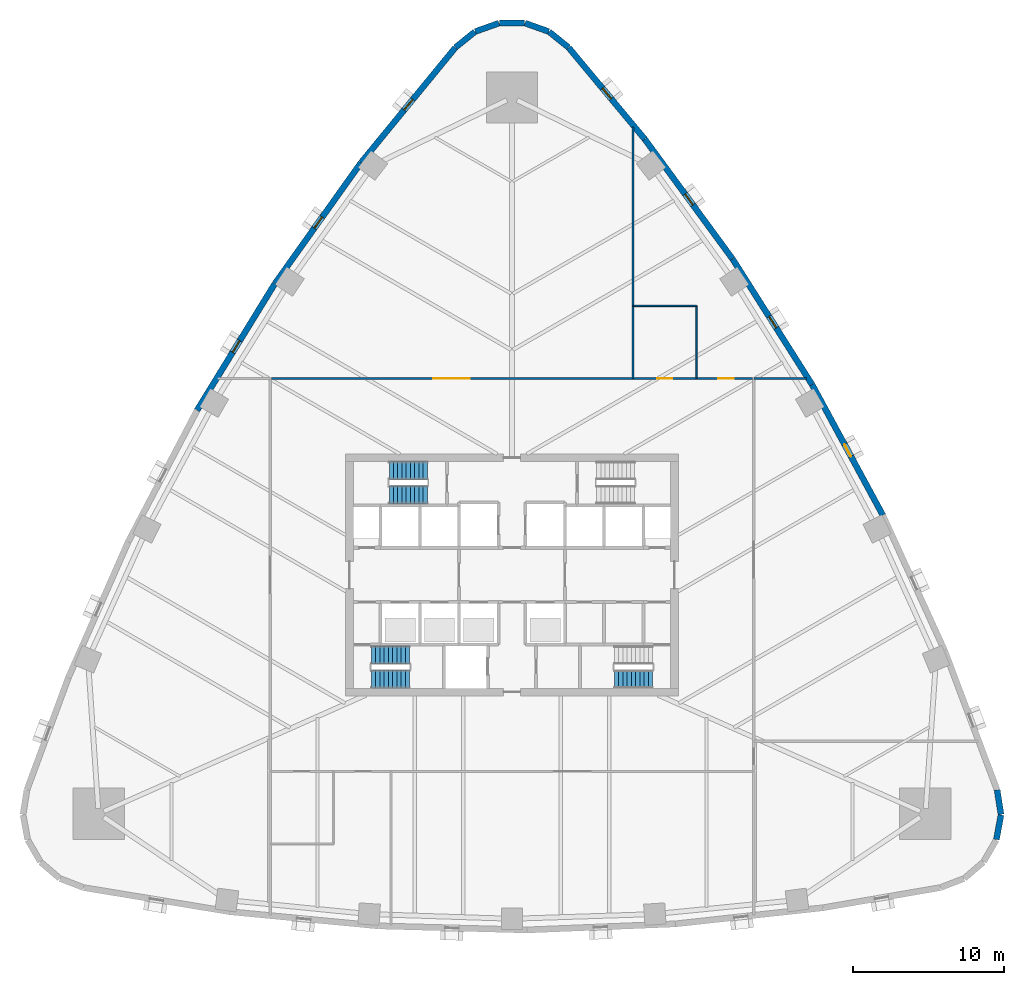
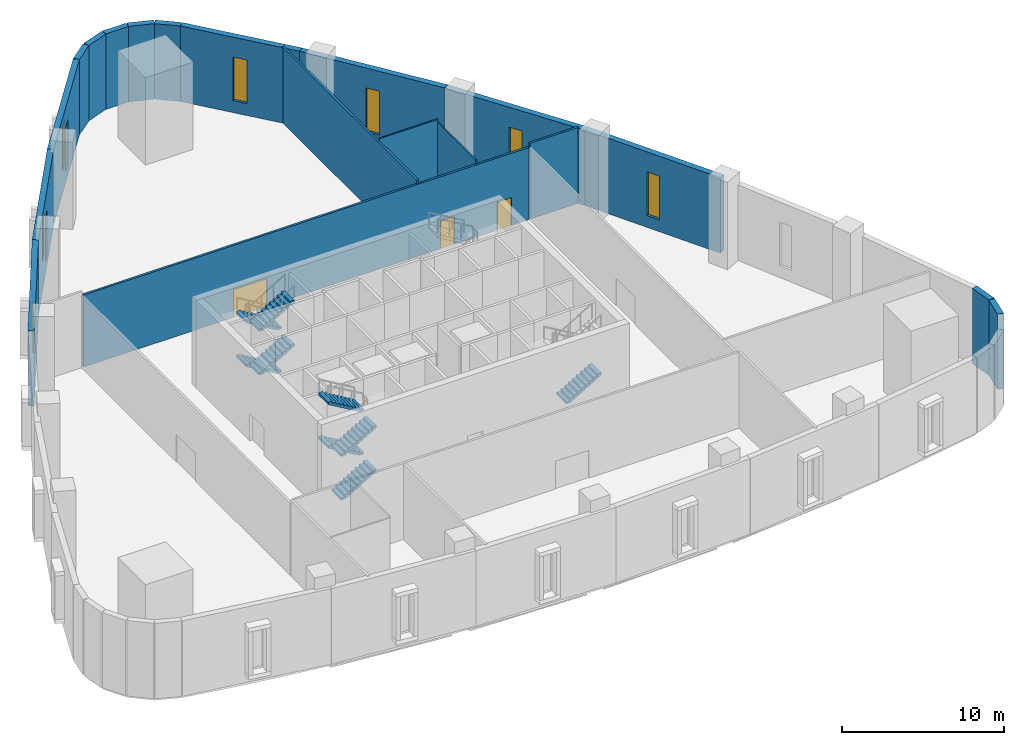
# One storey, part 6 of 11: 19 walls, 9 stair flights, 7 windows, 3 doors, 10 openings, 3 elements without a shape of their own.
"""IFC4 building model written with IfcOpenShell, lengths in metres."""

from ifc_helpers import new_model, si_unit, direction, frame, frame_2d, origin, place, context, subcontext, project, spatial, polyline, rectangle, outline, extrude, material, layer, layer_set, type_object, element, fill, aggregate, save


model = new_model("IFC4")

# Units and contexts
model_context = context("Model", 3, precision=1e-05, world=origin(), true_north=direction((0.0, 1.0)))
body_context = subcontext(model_context, "Body", "Model", "MODEL_VIEW")
ifc_project = project(units=[si_unit("LENGTHUNIT", "METRE"), si_unit("AREAUNIT", "SQUARE_METRE"), si_unit("VOLUMEUNIT", "CUBIC_METRE"), si_unit("PLANEANGLEUNIT", "RADIAN"), si_unit("MASSUNIT", "GRAM", prefix="KILO")], contexts=[model_context])

# Site, building, storey
site_placement = place(None, origin())
site = spatial("IfcSite", under=ifc_project, at=site_placement, CompositionType="ELEMENT")
building_placement = place(site_placement, origin())
building = spatial("IfcBuilding", under=site, at=building_placement, Name="Sierra Prisma Convention Tower", CompositionType="ELEMENT")
storey_placement = place(building_placement, frame((0.0, 0.0, 22.199951171875)))
storey = spatial("IfcBuildingStorey", under=building, at=storey_placement, Name="L03", CompositionType="ELEMENT", Elevation=22.199951171875)

# Walls
ifc_material_1 = material(Name="Gypsum board partition", Category="gypsum")
ifc_layer_1 = layer(ifc_material_1, 0.10009765625)
ifc_layer_set_1 = layer_set([ifc_layer_1], Name="Bathroom partition 100")
wall_type_1 = type_object("IfcWallType", Name="Bathroom partition 100", PredefinedType="PARTITIONING", material=ifc_layer_set_1)
wall_1_placement = place(storey_placement, frame((8.030029296875, 17.800048828125, 0.0), z_axis=(0.0, 0.0, 1.0), x_axis=(1.0, 0.0, 0.0)))
element("IfcWall", 1, at=wall_1_placement, inside=storey, type_object=wall_type_1, Name="Partition L03 bath 3", PredefinedType="PARTITIONING", context=body_context, shape_type="SweptSolid", body=[
    extrude(rectangle(XDim=4.169921875, YDim=0.10009765625, at=frame_2d((2.0849609375, 0.0))), origin(), (0.0, 0.0, 1.0), 5.949951171875),
])
wall_2_placement = place(storey_placement, frame((12.199951171875, 17.800048828125, 0.0), z_axis=(0.0, 0.0, 1.0), x_axis=(0.0, -1.0, 0.0)))
element("IfcWall", 2, at=wall_2_placement, inside=storey, type_object=wall_type_1, Name="Partition L03 bath 4", PredefinedType="PARTITIONING", context=body_context, shape_type="SweptSolid", body=[
    extrude(rectangle(XDim=4.77001953125, YDim=0.10009765625, at=frame_2d((2.385009765625, 0.0))), origin(), (0.0, 0.0, 1.0), 5.7470703125),
])

# Wall, openings, doors
ifc_material_2 = material(Name="Gypsum board partition", Category="gypsum")
ifc_layer_2 = layer(ifc_material_2, 0.14990234375)
ifc_layer_set_2 = layer_set([ifc_layer_2], Name="Corridor wall 150 gypsum EI 60")
wall_type_2 = type_object("IfcWallType", Name="Corridor wall 150 gypsum EI 60", PredefinedType="PARTITIONING", material=ifc_layer_set_2)
wall_3_placement = place(storey_placement, frame((15.919921875, 13.0, 0.0), z_axis=(0.0, 0.0, 1.0), x_axis=(-1.0, 0.0, 0.0)))
wall_3 = element("IfcWall", 3, at=wall_3_placement, inside=storey, type_object=wall_type_2, Name="Partition L03 corr 3", PredefinedType="PARTITIONING", context=body_context, shape_type="SweptSolid", body=[
    extrude(rectangle(XDim=31.83984375, YDim=0.14990234375, at=frame_2d((15.919921875, 0.0))), origin(), (0.0, 0.0, 1.0), 5.447021484375),
])
opening_1_placement = place(wall_3_placement, frame((5.320068359375, 0.0, 0.0)))
opening_1 = element("IfcOpeningElement", 4, at=opening_1_placement, cuts=wall_3, Name="Opening L03-D023", PredefinedType="OPENING", context=body_context, shape_type="SweptSolid", body=[
    extrude(rectangle(XDim=1.0, YDim=2.10009765625, at=frame_2d((0.5, 1.050048828125))), frame((0.0, 0.074951171875, 0.0), z_axis=(0.0, -1.0, 0.0), x_axis=(1.0, 0.0, 0.0)), (0.0, 0.0, 1.0), 0.14990234375),
])
opening_2_placement = place(wall_3_placement, frame((1.260009765625, 0.0, 0.0)))
opening_2 = element("IfcOpeningElement", 5, at=opening_2_placement, cuts=wall_3, Name="Opening L03-D024", PredefinedType="OPENING", context=body_context, shape_type="SweptSolid", body=[
    extrude(rectangle(XDim=1.0, YDim=2.10009765625, at=frame_2d((0.5, 1.050048828125))), frame((0.0, 0.074951171875, 0.0), z_axis=(0.0, -1.0, 0.0), x_axis=(1.0, 0.0, 0.0)), (0.0, 0.0, 1.0), 0.14990234375),
])
opening_3_placement = place(wall_3_placement, frame((18.72998046875, 0.0, 0.0)))
opening_3 = element("IfcOpeningElement", 6, at=opening_3_placement, cuts=wall_3, Name="Opening L03-D025", PredefinedType="OPENING", context=body_context, shape_type="SweptSolid", body=[
    extrude(rectangle(XDim=2.39990234375, YDim=2.10009765625, at=frame_2d((1.199951171875, 1.050048828125))), frame((0.0, 0.074951171875, 0.0), z_axis=(0.0, -1.0, 0.0), x_axis=(1.0, 0.0, 0.0)), (0.0, 0.0, 1.0), 0.14990234375),
])
ifc_material_3 = material(Name="Steel fire door leaf", Category="steel")
door_type_1 = type_object("IfcDoorType", Name="Door 1000x2100 FD30S", OperationType="SINGLE_SWING_LEFT", PredefinedType="DOOR", material=ifc_material_3)
door_1_placement = place(opening_1_placement, origin())
door_1 = element("IfcDoor", 7, at=door_1_placement, inside=storey, type_object=door_type_1, Name="Door L03 1", OperationType="SINGLE_SWING_LEFT", OverallHeight=2.10009765625, OverallWidth=1.0, PredefinedType="DOOR", context=body_context, shape_type="SweptSolid", body=[
    extrude(rectangle(XDim=1.0, YDim=2.10009765625, at=frame_2d((0.5, 1.050048828125))), frame((0.0, 0.02490234375, 0.0), z_axis=(0.0, -1.0, 0.0), x_axis=(1.0, 0.0, 0.0)), (0.0, 0.0, 1.0), 0.050048828125),
])
fill(opening_1, door_1)
door_2_placement = place(opening_2_placement, origin())
door_2 = element("IfcDoor", 8, at=door_2_placement, inside=storey, type_object=door_type_1, Name="Door L03 2", OperationType="SINGLE_SWING_LEFT", OverallHeight=2.10009765625, OverallWidth=1.0, PredefinedType="DOOR", context=body_context, shape_type="SweptSolid", body=[
    extrude(rectangle(XDim=1.0, YDim=2.10009765625, at=frame_2d((0.5, 1.050048828125))), frame((0.0, 0.02490234375, 0.0), z_axis=(0.0, -1.0, 0.0), x_axis=(1.0, 0.0, 0.0)), (0.0, 0.0, 1.0), 0.050048828125),
])
fill(opening_2, door_2)
ifc_material_4 = material(Name="Steel fire door leaf", Category="steel")
door_type_2 = type_object("IfcDoorType", Name="Door 2400x2100 FD30S", OperationType="DOUBLE_DOOR_SINGLE_SWING", PredefinedType="DOOR", material=ifc_material_4)
door_3_placement = place(opening_3_placement, origin())
door_3 = element("IfcDoor", 9, at=door_3_placement, inside=storey, type_object=door_type_2, Name="Door L03 3", OperationType="DOUBLE_DOOR_SINGLE_SWING", OverallHeight=2.10009765625, OverallWidth=2.39990234375, PredefinedType="DOOR", context=body_context, shape_type="SweptSolid", body=[
    extrude(rectangle(XDim=2.39990234375, YDim=2.10009765625, at=frame_2d((1.199951171875, 1.050048828125))), frame((0.0, 0.02490234375, 0.0), z_axis=(0.0, -1.0, 0.0), x_axis=(1.0, 0.0, 0.0)), (0.0, 0.0, 1.0), 0.050048828125),
])
fill(opening_3, door_3)

# Walls
ifc_material_5 = material(Name="Gypsum board partition", Category="gypsum")
ifc_layer_3 = layer(ifc_material_5, 0.14990234375)
ifc_layer_set_3 = layer_set([ifc_layer_3], Name="Party wall 150 gypsum")
wall_type_3 = type_object("IfcWallType", Name="Party wall 150 gypsum", PredefinedType="PARTITIONING", material=ifc_layer_set_3)
wall_4_placement = place(storey_placement, frame((8.0, 13.0, 0.0), z_axis=(0.0, 0.0, 1.0), x_axis=(0.0, 1.0, 0.0)))
element("IfcWall", 10, at=wall_4_placement, inside=storey, type_object=wall_type_3, Name="Partition L03 party 4", PredefinedType="PARTITIONING", context=body_context, shape_type="SweptSolid", body=[
    extrude(rectangle(XDim=16.630859375, YDim=0.14990234375, at=frame_2d((8.3154296875, 0.0))), origin(), (0.0, 0.0, 1.0), 5.734130859375),
])
wall_5_placement = place(storey_placement, frame((19.47900390625, 13.0, 0.0), z_axis=(0.0, 0.0, 1.0), x_axis=(-1.0, 0.0, 0.0)))
element("IfcWall", 11, at=wall_5_placement, inside=storey, type_object=wall_type_3, Name="Partition L03 party 7", PredefinedType="PARTITIONING", context=body_context, shape_type="SweptSolid", body=[
    extrude(rectangle(XDim=3.47900390625, YDim=0.14990234375, at=frame_2d((1.739501953125, 0.0))), origin(), (0.0, 0.0, 1.0), 5.734130859375),
])
ifc_material_6 = material(Name="Concrete C40/50, terracotta plaster finish", Category="masonry")
ifc_layer_4 = layer(ifc_material_6, 0.39990234375)
ifc_layer_set_4 = layer_set([ifc_layer_4], Name="Podium plastered wall 400")
wall_type_4 = type_object("IfcWallType", Name="Podium plastered wall 400", PredefinedType="STANDARD", material=ifc_layer_set_4)
wall_6_placement = place(storey_placement, frame((32.355224609375, -15.87841796875, 0.0), z_axis=(0.0, 0.0, 1.0), x_axis=(-0.182653168579, -0.983177410241, 0.0)))
element("IfcWall", 12, at=wall_6_placement, inside=storey, type_object=wall_type_4, Name="Podium wall L03 3", PredefinedType="STANDARD", context=body_context, shape_type="SweptSolid", body=[
    extrude(rectangle(XDim=1.65869140625, YDim=0.39990234375, at=frame_2d((0.829345703125, 0.0))), origin(), (0.0, 0.0, 1.0), 5.699951171875),
])
wall_7_placement = place(storey_placement, frame((32.099365234375, -14.218505859375, 0.0), z_axis=(0.0, 0.0, 1.0), x_axis=(0.155711266073, -0.98780261268, 0.0)))
element("IfcWall", 13, at=wall_7_placement, inside=storey, type_object=wall_type_4, Name="Podium wall L03 4", PredefinedType="STANDARD", context=body_context, shape_type="SweptSolid", body=[
    extrude(rectangle(XDim=1.646240234375, YDim=0.39990234375, at=frame_2d((0.8232421875, 0.0))), origin(), (0.0, 0.0, 1.0), 5.699951171875),
])

# Wall, opening, window
wall_8_placement = place(storey_placement, frame((19.858642578125, 12.596923828125, 0.0), z_axis=(0.0, 0.0, 1.0), x_axis=(0.476254331716, -0.879307575039, 0.0)))
wall_8 = element("IfcWall", 14, at=wall_8_placement, inside=storey, type_object=wall_type_4, Name="Podium wall L03 7", PredefinedType="STANDARD", context=body_context, shape_type="SweptSolid", body=[
    extrude(rectangle(XDim=9.825439453125, YDim=0.39990234375, at=frame_2d((4.91259765625, 0.0))), origin(), (0.0, 0.0, 1.0), 5.699951171875),
])
opening_4_placement = place(wall_8_placement, frame((4.5, 0.0, 0.89990234375)))
opening_4 = element("IfcOpeningElement", 15, at=opening_4_placement, cuts=wall_8, Name="Opening L03-W03", PredefinedType="OPENING", context=body_context, shape_type="SweptSolid", body=[
    extrude(rectangle(XDim=0.89990234375, YDim=3.300048828125, at=frame_2d((0.449951171875, 1.64990234375))), frame((0.0, 0.199951171875, 0.0), z_axis=(0.0, -1.0, 0.0), x_axis=(1.0, 0.0, 0.0)), (0.0, 0.0, 1.0), 0.39990234375),
])
ifc_material_7 = material(Name="Tinted glass, bronze aluminium frame", Category="aluminium")
window_type = type_object("IfcWindowType", Name="Podium tall slot window 900 x 3300", PartitioningType="SINGLE_PANEL", PredefinedType="WINDOW", material=ifc_material_7)
window_1_placement = place(opening_4_placement, origin())
window_1 = element("IfcWindow", 16, at=window_1_placement, inside=storey, type_object=window_type, Name="Tall slot window", OverallHeight=3.300048828125, OverallWidth=0.89990234375, PartitioningType="SINGLE_PANEL", PredefinedType="WINDOW", context=body_context, shape_type="SweptSolid", body=[
    extrude(rectangle(XDim=0.89990234375, YDim=3.300048828125, at=frame_2d((0.449951171875, 1.64990234375))), frame((0.0, 0.030029296875, 0.0), z_axis=(0.0, -1.0, 0.0), x_axis=(1.0, 0.0, 0.0)), (0.0, 0.0, 1.0), 0.06005859375),
])
fill(opening_4, window_1)

wall_9_placement = place(storey_placement, frame((14.599365234375, 20.904541015625, 0.0), z_axis=(0.0, 0.0, 1.0), x_axis=(0.534912566476, -0.844907418731, 0.0)))
wall_9 = element("IfcWall", 17, at=wall_9_placement, inside=storey, type_object=wall_type_4, Name="Podium wall L03 8", PredefinedType="STANDARD", context=body_context, shape_type="SweptSolid", body=[
    extrude(rectangle(XDim=9.82568359375, YDim=0.39990234375, at=frame_2d((4.912841796875, 0.0))), origin(), (0.0, 0.0, 1.0), 5.699951171875),
])
opening_5_placement = place(wall_9_placement, frame((4.5, 0.0, 0.89990234375)))
opening_5 = element("IfcOpeningElement", 18, at=opening_5_placement, cuts=wall_9, Name="Opening L03-W04", PredefinedType="OPENING", context=body_context, shape_type="SweptSolid", body=[
    extrude(rectangle(XDim=0.89990234375, YDim=3.300048828125, at=frame_2d((0.449951171875, 1.64990234375))), frame((0.0, 0.199951171875, 0.0), z_axis=(0.0, -1.0, 0.0), x_axis=(1.0, 0.0, 0.0)), (0.0, 0.0, 1.0), 0.39990234375),
])
window_2_placement = place(opening_5_placement, origin())
window_2 = element("IfcWindow", 19, at=window_2_placement, inside=storey, type_object=window_type, Name="Tall slot window", OverallHeight=3.300048828125, OverallWidth=0.89990234375, PartitioningType="SINGLE_PANEL", PredefinedType="WINDOW", context=body_context, shape_type="SweptSolid", body=[
    extrude(rectangle(XDim=0.89990234375, YDim=3.300048828125, at=frame_2d((0.449951171875, 1.64990234375))), frame((0.0, 0.030029296875, 0.0), z_axis=(0.0, -1.0, 0.0), x_axis=(1.0, 0.0, 0.0)), (0.0, 0.0, 1.0), 0.06005859375),
])
fill(opening_5, window_2)

wall_10_placement = place(storey_placement, frame((8.78759765625, 28.835693359375, 0.0), z_axis=(0.0, 0.0, 1.0), x_axis=(0.591085715329, -0.806608750966, 0.0)))
wall_10 = element("IfcWall", 20, at=wall_10_placement, inside=storey, type_object=wall_type_4, Name="Podium wall L03 9", PredefinedType="STANDARD", context=body_context, shape_type="SweptSolid", body=[
    extrude(rectangle(XDim=9.82568359375, YDim=0.39990234375, at=frame_2d((4.912841796875, 0.0))), origin(), (0.0, 0.0, 1.0), 5.699951171875),
])
opening_6_placement = place(wall_10_placement, frame((4.5, 0.0, 0.89990234375)))
opening_6 = element("IfcOpeningElement", 21, at=opening_6_placement, cuts=wall_10, Name="Opening L03-W05", PredefinedType="OPENING", context=body_context, shape_type="SweptSolid", body=[
    extrude(rectangle(XDim=0.89990234375, YDim=3.300048828125, at=frame_2d((0.449951171875, 1.64990234375))), frame((0.0, 0.199951171875, 0.0), z_axis=(0.0, -1.0, 0.0), x_axis=(1.0, 0.0, 0.0)), (0.0, 0.0, 1.0), 0.39990234375),
])
window_3_placement = place(opening_6_placement, origin())
window_3 = element("IfcWindow", 22, at=window_3_placement, inside=storey, type_object=window_type, Name="Tall slot window", OverallHeight=3.300048828125, OverallWidth=0.89990234375, PartitioningType="SINGLE_PANEL", PredefinedType="WINDOW", context=body_context, shape_type="SweptSolid", body=[
    extrude(rectangle(XDim=0.89990234375, YDim=3.300048828125, at=frame_2d((0.449951171875, 1.64990234375))), frame((0.0, 0.030029296875, 0.0), z_axis=(0.0, -1.0, 0.0), x_axis=(1.0, 0.0, 0.0)), (0.0, 0.0, 1.0), 0.06005859375),
])
fill(opening_6, window_3)

wall_11_placement = place(storey_placement, frame((3.75, 34.894287109375, 0.0), z_axis=(0.0, 0.0, 1.0), x_axis=(0.639357483443, -0.768909623015, 0.0)))
wall_11 = element("IfcWall", 23, at=wall_11_placement, inside=storey, type_object=wall_type_4, Name="Podium wall L03 10", PredefinedType="STANDARD", context=body_context, shape_type="SweptSolid", body=[
    extrude(rectangle(XDim=7.87353515625, YDim=0.39990234375, at=frame_2d((3.936767578125, 0.0))), origin(), (0.0, 0.0, 1.0), 5.699951171875),
])
opening_7_placement = place(wall_11_placement, frame((3.5, 0.0, 0.89990234375)))
opening_7 = element("IfcOpeningElement", 24, at=opening_7_placement, cuts=wall_11, Name="Opening L03-W06", PredefinedType="OPENING", context=body_context, shape_type="SweptSolid", body=[
    extrude(rectangle(XDim=0.89990234375, YDim=3.300048828125, at=frame_2d((0.449951171875, 1.64990234375))), frame((0.0, 0.199951171875, 0.0), z_axis=(0.0, -1.0, 0.0), x_axis=(1.0, 0.0, 0.0)), (0.0, 0.0, 1.0), 0.39990234375),
])
window_4_placement = place(opening_7_placement, origin())
window_4 = element("IfcWindow", 25, at=window_4_placement, inside=storey, type_object=window_type, Name="Tall slot window", OverallHeight=3.300048828125, OverallWidth=0.89990234375, PartitioningType="SINGLE_PANEL", PredefinedType="WINDOW", context=body_context, shape_type="SweptSolid", body=[
    extrude(rectangle(XDim=0.89990234375, YDim=3.300048828125, at=frame_2d((0.449951171875, 1.64990234375))), frame((0.0, 0.030029296875, 0.0), z_axis=(0.0, -1.0, 0.0), x_axis=(1.0, 0.0, 0.0)), (0.0, 0.0, 1.0), 0.06005859375),
])
fill(opening_7, window_4)

# Walls
wall_12_placement = place(storey_placement, frame((2.455810546875, 35.943115234375, 0.0), z_axis=(0.0, 0.0, 1.0), x_axis=(0.77769018818, -0.628647732207, 0.0)))
element("IfcWall", 26, at=wall_12_placement, inside=storey, type_object=wall_type_4, Name="Podium wall L03 11", PredefinedType="STANDARD", context=body_context, shape_type="SweptSolid", body=[
    extrude(rectangle(XDim=1.646240234375, YDim=0.39990234375, at=frame_2d((0.8232421875, 0.0))), origin(), (0.0, 0.0, 1.0), 5.699951171875),
])
for number, where, z_axis, x_axis, name in (
    (27, (0.86279296875, 36.5126953125, 0.0), (0.0, 0.0, 1.0), (0.942786347799, -0.333397514093, 0.0), "Podium wall L03 12"),
    (28, (-0.829345703125, 36.5185546875, 0.0), (0.0, 0.0, 1.0), (1.0, 0.0, 0.0), "Podium wall L03 13"),
    (29, (-2.426513671875, 35.959716796875, 0.0), (0.0, 0.0, 1.0), (0.942786347799, 0.333397514093, 0.0), "Podium wall L03 14"),
):
    element("IfcWall", number, at=place(storey_placement, frame(where, z_axis=z_axis, x_axis=x_axis)), inside=storey, type_object=wall_type_4, Name=name, PredefinedType="STANDARD", context=body_context, shape_type="SweptSolid", body=[
        extrude(rectangle(XDim=1.65869140625, YDim=0.39990234375, at=frame_2d((0.829345703125, 0.0))), origin(), (0.0, 0.0, 1.0), 5.699951171875),
    ])
wall_13_placement = place(storey_placement, frame((-3.736083984375, 34.908203125, 0.0), z_axis=(0.0, 0.0, 1.0), x_axis=(0.77769018818, 0.628647732207, 0.0)))
element("IfcWall", 30, at=wall_13_placement, inside=storey, type_object=wall_type_4, Name="Podium wall L03 15", PredefinedType="STANDARD", context=body_context, shape_type="SweptSolid", body=[
    extrude(rectangle(XDim=1.646240234375, YDim=0.39990234375, at=frame_2d((0.8232421875, 0.0))), origin(), (0.0, 0.0, 1.0), 5.699951171875),
])

# Wall, opening, window
wall_14_placement = place(storey_placement, frame((-9.98876953125, 27.28662109375, 0.0), z_axis=(0.0, 0.0, 1.0), x_axis=(0.634103626557, 0.773248078424, 0.0)))
wall_14 = element("IfcWall", 31, at=wall_14_placement, inside=storey, type_object=wall_type_4, Name="Podium wall L03 16", PredefinedType="STANDARD", context=body_context, shape_type="SweptSolid", body=[
    extrude(rectangle(XDim=9.837890625, YDim=0.39990234375, at=frame_2d((4.9189453125, 0.0))), origin(), (0.0, 0.0, 1.0), 5.699951171875),
])
opening_8_placement = place(wall_14_placement, frame((4.5, 0.0, 0.89990234375)))
opening_8 = element("IfcOpeningElement", 32, at=opening_8_placement, cuts=wall_14, Name="Opening L03-W07", PredefinedType="OPENING", context=body_context, shape_type="SweptSolid", body=[
    extrude(rectangle(XDim=0.89990234375, YDim=3.300048828125, at=frame_2d((0.449951171875, 1.64990234375))), frame((0.0, 0.199951171875, 0.0), z_axis=(0.0, -1.0, 0.0), x_axis=(1.0, 0.0, 0.0)), (0.0, 0.0, 1.0), 0.39990234375),
])
window_5_placement = place(opening_8_placement, origin())
window_5 = element("IfcWindow", 33, at=window_5_placement, inside=storey, type_object=window_type, Name="Tall slot window", OverallHeight=3.300048828125, OverallWidth=0.89990234375, PartitioningType="SINGLE_PANEL", PredefinedType="WINDOW", context=body_context, shape_type="SweptSolid", body=[
    extrude(rectangle(XDim=0.89990234375, YDim=3.300048828125, at=frame_2d((0.449951171875, 1.64990234375))), frame((0.0, 0.030029296875, 0.0), z_axis=(0.0, -1.0, 0.0), x_axis=(1.0, 0.0, 0.0)), (0.0, 0.0, 1.0), 0.06005859375),
])
fill(opening_8, window_5)

wall_15_placement = place(storey_placement, frame((-15.6923828125, 19.277587890625, 0.0), z_axis=(0.0, 0.0, 1.0), x_axis=(0.580062373049, 0.814572061498, 0.0)))
wall_15 = element("IfcWall", 34, at=wall_15_placement, inside=storey, type_object=wall_type_4, Name="Podium wall L03 17", PredefinedType="STANDARD", context=body_context, shape_type="SweptSolid", body=[
    extrude(rectangle(XDim=9.82568359375, YDim=0.39990234375, at=frame_2d((4.912841796875, 0.0))), origin(), (0.0, 0.0, 1.0), 5.699951171875),
])
opening_9_placement = place(wall_15_placement, frame((4.5, 0.0, 0.89990234375)))
opening_9 = element("IfcOpeningElement", 35, at=opening_9_placement, cuts=wall_15, Name="Opening L03-W08", PredefinedType="OPENING", context=body_context, shape_type="SweptSolid", body=[
    extrude(rectangle(XDim=0.89990234375, YDim=3.300048828125, at=frame_2d((0.449951171875, 1.64990234375))), frame((0.0, 0.199951171875, 0.0), z_axis=(0.0, -1.0, 0.0), x_axis=(1.0, 0.0, 0.0)), (0.0, 0.0, 1.0), 0.39990234375),
])
window_6_placement = place(opening_9_placement, origin())
window_6 = element("IfcWindow", 36, at=window_6_placement, inside=storey, type_object=window_type, Name="Tall slot window", OverallHeight=3.300048828125, OverallWidth=0.89990234375, PartitioningType="SINGLE_PANEL", PredefinedType="WINDOW", context=body_context, shape_type="SweptSolid", body=[
    extrude(rectangle(XDim=0.89990234375, YDim=3.300048828125, at=frame_2d((0.449951171875, 1.64990234375))), frame((0.0, 0.030029296875, 0.0), z_axis=(0.0, -1.0, 0.0), x_axis=(1.0, 0.0, 0.0)), (0.0, 0.0, 1.0), 0.06005859375),
])
fill(opening_9, window_6)

wall_16_placement = place(storey_placement, frame((-20.838623046875, 10.899658203125, 0.0), z_axis=(0.0, 0.0, 1.0), x_axis=(0.523369396098, 0.85210590611, 0.0)))
wall_16 = element("IfcWall", 37, at=wall_16_placement, inside=storey, type_object=wall_type_4, Name="Podium wall L03 18", PredefinedType="STANDARD", context=body_context, shape_type="SweptSolid", body=[
    extrude(rectangle(XDim=9.825439453125, YDim=0.39990234375, at=frame_2d((4.91259765625, 0.0))), origin(), (0.0, 0.0, 1.0), 5.699951171875),
])
opening_10_placement = place(wall_16_placement, frame((4.5, 0.0, 0.89990234375)))
opening_10 = element("IfcOpeningElement", 38, at=opening_10_placement, cuts=wall_16, Name="Opening L03-W09", PredefinedType="OPENING", context=body_context, shape_type="SweptSolid", body=[
    extrude(rectangle(XDim=0.89990234375, YDim=3.300048828125, at=frame_2d((0.449951171875, 1.64990234375))), frame((0.0, 0.199951171875, 0.0), z_axis=(0.0, -1.0, 0.0), x_axis=(1.0, 0.0, 0.0)), (0.0, 0.0, 1.0), 0.39990234375),
])
window_7_placement = place(opening_10_placement, origin())
window_7 = element("IfcWindow", 39, at=window_7_placement, inside=storey, type_object=window_type, Name="Tall slot window", OverallHeight=3.300048828125, OverallWidth=0.89990234375, PartitioningType="SINGLE_PANEL", PredefinedType="WINDOW", context=body_context, shape_type="SweptSolid", body=[
    extrude(rectangle(XDim=0.89990234375, YDim=3.300048828125, at=frame_2d((0.449951171875, 1.64990234375))), frame((0.0, 0.030029296875, 0.0), z_axis=(0.0, -1.0, 0.0), x_axis=(1.0, 0.0, 0.0)), (0.0, 0.0, 1.0), 0.06005859375),
])
fill(opening_10, window_7)

# Stair, stair flights
ifc_material_8 = material(Name="Concrete C30/37", Category="concrete")
stair_type = type_object("IfcStairType", Name="Stair dog-leg 1200 RC", PredefinedType="HALF_TURN_STAIR", material=ifc_material_8)
stair_1_placement = place(storey_placement, origin())
stair_1 = element("IfcStair", 40, at=stair_1_placement, inside=storey, type_object=stair_type, Name="L03 S1", PredefinedType="HALF_TURN_STAIR")
ifc_material_9 = material(Name="Concrete C30/37", Category="concrete")
stair_flight_type = type_object("IfcStairFlightType", Name="Stair flight RC 1200", PredefinedType="STRAIGHT", material=ifc_material_9)
stair_flight_1_placement = place(storey_placement, frame((-9.300048828125, -6.89990234375, 0.0), z_axis=(0.0, 0.0, 1.0), x_axis=(1.0, 0.0, 0.0)))
stair_flight_1 = element("IfcStairFlight", 41, at=stair_flight_1_placement, type_object=stair_flight_type, Name="S1 flight 1", NumberOfRisers=10, NumberOfTreads=9, PredefinedType="STRAIGHT", RiserHeight=0.165, TreadLength=0.28, context=body_context, shape_type="SweptSolid", body=[
    extrude(outline(polyline([(0.0, 0.0), (0.0, 0.1650390625), (0.280029296875, 0.1650390625), (0.280029296875, 0.330078125), (0.56005859375, 0.330078125), (0.56005859375, 0.4951171875), (0.840087890625, 0.4951171875), (0.840087890625, 0.659912109375), (1.1201171875, 0.659912109375), (1.1201171875, 0.824951171875), (1.39990234375, 0.824951171875), (1.39990234375, 0.989990234375), (1.679931640625, 0.989990234375), (1.679931640625, 1.155029296875), (1.9599609375, 1.155029296875), (1.9599609375, 1.320068359375), (2.239990234375, 1.320068359375), (2.239990234375, 1.485107421875), (2.52001953125, 1.485107421875), (2.52001953125, 1.64990234375), (2.52001953125, 1.31103515625), (0.295166015625, 0.0), (0.0, 0.0)])), frame((0.0, 0.60009765625, 0.0), z_axis=(0.0, -1.0, 0.0), x_axis=(1.0, 0.0, 0.0)), (0.0, 0.0, 1.0), 1.199951171875),
])
stair_flight_2_placement = place(storey_placement, frame((-6.780029296875, -5.300048828125, 1.650146484375), z_axis=(0.0, 0.0, 1.0), x_axis=(-1.0, 0.0, 0.0)))
stair_flight_2 = element("IfcStairFlight", 42, at=stair_flight_2_placement, type_object=stair_flight_type, Name="S1 flight 2", NumberOfRisers=10, NumberOfTreads=9, PredefinedType="STRAIGHT", RiserHeight=0.165, TreadLength=0.28, context=body_context, shape_type="SweptSolid", body=[
    extrude(outline(polyline([(0.0, 0.0), (0.0, 0.1650390625), (0.280029296875, 0.1650390625), (0.280029296875, 0.330078125), (0.56005859375, 0.330078125), (0.56005859375, 0.4951171875), (0.840087890625, 0.4951171875), (0.840087890625, 0.659912109375), (1.1201171875, 0.659912109375), (1.1201171875, 0.824951171875), (1.39990234375, 0.824951171875), (1.39990234375, 0.989990234375), (1.679931640625, 0.989990234375), (1.679931640625, 1.155029296875), (1.9599609375, 1.155029296875), (1.9599609375, 1.320068359375), (2.239990234375, 1.320068359375), (2.239990234375, 1.485107421875), (2.52001953125, 1.485107421875), (2.52001953125, 1.64990234375), (2.52001953125, 1.31103515625), (0.295166015625, 0.0), (0.0, 0.0)])), frame((0.0, 0.60009765625, 0.0), z_axis=(0.0, -1.0, 0.0), x_axis=(1.0, 0.0, 0.0)), (0.0, 0.0, 1.0), 1.199951171875),
])
stair_flight_3_placement = place(storey_placement, frame((-9.300048828125, -6.89990234375, 3.300048828125), z_axis=(0.0, 0.0, 1.0), x_axis=(1.0, 0.0, 0.0)))
stair_flight_3 = element("IfcStairFlight", 43, at=stair_flight_3_placement, type_object=stair_flight_type, Name="S1 flight 3", NumberOfRisers=10, NumberOfTreads=9, PredefinedType="STRAIGHT", RiserHeight=0.165, TreadLength=0.28, context=body_context, shape_type="SweptSolid", body=[
    extrude(outline(polyline([(0.0, 0.0), (0.0, 0.1650390625), (0.280029296875, 0.1650390625), (0.280029296875, 0.330078125), (0.56005859375, 0.330078125), (0.56005859375, 0.4951171875), (0.840087890625, 0.4951171875), (0.840087890625, 0.659912109375), (1.1201171875, 0.659912109375), (1.1201171875, 0.824951171875), (1.39990234375, 0.824951171875), (1.39990234375, 0.989990234375), (1.679931640625, 0.989990234375), (1.679931640625, 1.155029296875), (1.9599609375, 1.155029296875), (1.9599609375, 1.320068359375), (2.239990234375, 1.320068359375), (2.239990234375, 1.485107421875), (2.52001953125, 1.485107421875), (2.52001953125, 1.64990234375), (2.52001953125, 1.31103515625), (0.295166015625, 0.0), (0.0, 0.0)])), frame((0.0, 0.60009765625, 0.0), z_axis=(0.0, -1.0, 0.0), x_axis=(1.0, 0.0, 0.0)), (0.0, 0.0, 1.0), 1.199951171875),
])
stair_flight_4_placement = place(storey_placement, frame((-6.780029296875, -5.300048828125, 4.949951171875), z_axis=(0.0, 0.0, 1.0), x_axis=(-1.0, 0.0, 0.0)))
stair_flight_4 = element("IfcStairFlight", 44, at=stair_flight_4_placement, type_object=stair_flight_type, Name="S1 flight 4", NumberOfRisers=10, NumberOfTreads=9, PredefinedType="STRAIGHT", RiserHeight=0.165, TreadLength=0.28, context=body_context, shape_type="SweptSolid", body=[
    extrude(outline(polyline([(0.0, 0.0), (0.0, 0.1650390625), (0.280029296875, 0.1650390625), (0.280029296875, 0.330078125), (0.56005859375, 0.330078125), (0.56005859375, 0.4951171875), (0.840087890625, 0.4951171875), (0.840087890625, 0.659912109375), (1.1201171875, 0.659912109375), (1.1201171875, 0.824951171875), (1.39990234375, 0.824951171875), (1.39990234375, 0.989990234375), (1.679931640625, 0.989990234375), (1.679931640625, 1.155029296875), (1.9599609375, 1.155029296875), (1.9599609375, 1.320068359375), (2.239990234375, 1.320068359375), (2.239990234375, 1.485107421875), (2.52001953125, 1.485107421875), (2.52001953125, 1.64990234375), (2.52001953125, 1.31103515625), (0.295166015625, 0.0), (0.0, 0.0)])), frame((0.0, 0.60009765625, 0.0), z_axis=(0.0, -1.0, 0.0), x_axis=(1.0, 0.0, 0.0)), (0.0, 0.0, 1.0), 1.199951171875),
])
aggregate(stair_1, [stair_flight_1, stair_flight_2, stair_flight_3, stair_flight_4])

# Stair, stair flight
stair_2_placement = place(storey_placement, origin())
stair_2 = element("IfcStair", 45, at=stair_2_placement, inside=storey, type_object=stair_type, Name="L03 S2", PredefinedType="HALF_TURN_STAIR")
stair_flight_5_placement = place(storey_placement, frame((6.780029296875, -6.89990234375, 1.650146484375), z_axis=(0.0, 0.0, 1.0), x_axis=(1.0, 0.0, 0.0)))
stair_flight_5 = element("IfcStairFlight", 46, at=stair_flight_5_placement, type_object=stair_flight_type, Name="S2 flight 2", NumberOfRisers=10, NumberOfTreads=9, PredefinedType="STRAIGHT", RiserHeight=0.165, TreadLength=0.28, context=body_context, shape_type="SweptSolid", body=[
    extrude(outline(polyline([(0.0, 0.0), (0.0, 0.1650390625), (0.280029296875, 0.1650390625), (0.280029296875, 0.330078125), (0.56005859375, 0.330078125), (0.56005859375, 0.4951171875), (0.840087890625, 0.4951171875), (0.840087890625, 0.659912109375), (1.1201171875, 0.659912109375), (1.1201171875, 0.824951171875), (1.39990234375, 0.824951171875), (1.39990234375, 0.989990234375), (1.679931640625, 0.989990234375), (1.679931640625, 1.155029296875), (1.9599609375, 1.155029296875), (1.9599609375, 1.320068359375), (2.239990234375, 1.320068359375), (2.239990234375, 1.485107421875), (2.52001953125, 1.485107421875), (2.52001953125, 1.64990234375), (2.52001953125, 1.31103515625), (0.295166015625, 0.0), (0.0, 0.0)])), frame((0.0, 0.60009765625, 0.0), z_axis=(0.0, -1.0, 0.0), x_axis=(1.0, 0.0, 0.0)), (0.0, 0.0, 1.0), 1.199951171875),
])
aggregate(stair_2, [stair_flight_5])

# Stair, stair flights
stair_3_placement = place(storey_placement, origin())
stair_3 = element("IfcStair", 47, at=stair_3_placement, inside=storey, type_object=stair_type, Name="L03 S3", PredefinedType="HALF_TURN_STAIR")
stair_flight_6_placement = place(storey_placement, frame((-5.60009765625, 6.89990234375, 0.0), z_axis=(0.0, 0.0, 1.0), x_axis=(-1.0, 0.0, 0.0)))
stair_flight_6 = element("IfcStairFlight", 48, at=stair_flight_6_placement, type_object=stair_flight_type, Name="S3 flight 1", NumberOfRisers=10, NumberOfTreads=9, PredefinedType="STRAIGHT", RiserHeight=0.165, TreadLength=0.28, context=body_context, shape_type="SweptSolid", body=[
    extrude(outline(polyline([(0.0, 0.0), (0.0, 0.1650390625), (0.280029296875, 0.1650390625), (0.280029296875, 0.330078125), (0.56005859375, 0.330078125), (0.56005859375, 0.4951171875), (0.840087890625, 0.4951171875), (0.840087890625, 0.659912109375), (1.1201171875, 0.659912109375), (1.1201171875, 0.824951171875), (1.39990234375, 0.824951171875), (1.39990234375, 0.989990234375), (1.679931640625, 0.989990234375), (1.679931640625, 1.155029296875), (1.9599609375, 1.155029296875), (1.9599609375, 1.320068359375), (2.239990234375, 1.320068359375), (2.239990234375, 1.485107421875), (2.52001953125, 1.485107421875), (2.52001953125, 1.64990234375), (2.52001953125, 1.31103515625), (0.295166015625, 0.0), (0.0, 0.0)])), frame((0.0, 0.60009765625, 0.0), z_axis=(0.0, -1.0, 0.0), x_axis=(1.0, 0.0, 0.0)), (0.0, 0.0, 1.0), 1.199951171875),
])
stair_flight_7_placement = place(storey_placement, frame((-8.1201171875, 5.300048828125, 1.650146484375), z_axis=(0.0, 0.0, 1.0), x_axis=(1.0, 0.0, 0.0)))
stair_flight_7 = element("IfcStairFlight", 49, at=stair_flight_7_placement, type_object=stair_flight_type, Name="S3 flight 2", NumberOfRisers=10, NumberOfTreads=9, PredefinedType="STRAIGHT", RiserHeight=0.165, TreadLength=0.28, context=body_context, shape_type="SweptSolid", body=[
    extrude(outline(polyline([(0.0, 0.0), (0.0, 0.1650390625), (0.280029296875, 0.1650390625), (0.280029296875, 0.330078125), (0.56005859375, 0.330078125), (0.56005859375, 0.4951171875), (0.840087890625, 0.4951171875), (0.840087890625, 0.659912109375), (1.1201171875, 0.659912109375), (1.1201171875, 0.824951171875), (1.39990234375, 0.824951171875), (1.39990234375, 0.989990234375), (1.679931640625, 0.989990234375), (1.679931640625, 1.155029296875), (1.9599609375, 1.155029296875), (1.9599609375, 1.320068359375), (2.239990234375, 1.320068359375), (2.239990234375, 1.485107421875), (2.52001953125, 1.485107421875), (2.52001953125, 1.64990234375), (2.52001953125, 1.31103515625), (0.295166015625, 0.0), (0.0, 0.0)])), frame((0.0, 0.60009765625, 0.0), z_axis=(0.0, -1.0, 0.0), x_axis=(1.0, 0.0, 0.0)), (0.0, 0.0, 1.0), 1.199951171875),
])
stair_flight_8_placement = place(storey_placement, frame((-5.60009765625, 6.89990234375, 3.300048828125), z_axis=(0.0, 0.0, 1.0), x_axis=(-1.0, 0.0, 0.0)))
stair_flight_8 = element("IfcStairFlight", 50, at=stair_flight_8_placement, type_object=stair_flight_type, Name="S3 flight 3", NumberOfRisers=10, NumberOfTreads=9, PredefinedType="STRAIGHT", RiserHeight=0.165, TreadLength=0.28, context=body_context, shape_type="SweptSolid", body=[
    extrude(outline(polyline([(0.0, 0.0), (0.0, 0.1650390625), (0.280029296875, 0.1650390625), (0.280029296875, 0.330078125), (0.56005859375, 0.330078125), (0.56005859375, 0.4951171875), (0.840087890625, 0.4951171875), (0.840087890625, 0.659912109375), (1.1201171875, 0.659912109375), (1.1201171875, 0.824951171875), (1.39990234375, 0.824951171875), (1.39990234375, 0.989990234375), (1.679931640625, 0.989990234375), (1.679931640625, 1.155029296875), (1.9599609375, 1.155029296875), (1.9599609375, 1.320068359375), (2.239990234375, 1.320068359375), (2.239990234375, 1.485107421875), (2.52001953125, 1.485107421875), (2.52001953125, 1.64990234375), (2.52001953125, 1.31103515625), (0.295166015625, 0.0), (0.0, 0.0)])), frame((0.0, 0.60009765625, 0.0), z_axis=(0.0, -1.0, 0.0), x_axis=(1.0, 0.0, 0.0)), (0.0, 0.0, 1.0), 1.199951171875),
])
stair_flight_9_placement = place(storey_placement, frame((-8.1201171875, 5.300048828125, 4.949951171875), z_axis=(0.0, 0.0, 1.0), x_axis=(1.0, 0.0, 0.0)))
stair_flight_9 = element("IfcStairFlight", 51, at=stair_flight_9_placement, type_object=stair_flight_type, Name="S3 flight 4", NumberOfRisers=10, NumberOfTreads=9, PredefinedType="STRAIGHT", RiserHeight=0.165, TreadLength=0.28, context=body_context, shape_type="SweptSolid", body=[
    extrude(outline(polyline([(0.0, 0.0), (0.0, 0.1650390625), (0.280029296875, 0.1650390625), (0.280029296875, 0.330078125), (0.56005859375, 0.330078125), (0.56005859375, 0.4951171875), (0.840087890625, 0.4951171875), (0.840087890625, 0.659912109375), (1.1201171875, 0.659912109375), (1.1201171875, 0.824951171875), (1.39990234375, 0.824951171875), (1.39990234375, 0.989990234375), (1.679931640625, 0.989990234375), (1.679931640625, 1.155029296875), (1.9599609375, 1.155029296875), (1.9599609375, 1.320068359375), (2.239990234375, 1.320068359375), (2.239990234375, 1.485107421875), (2.52001953125, 1.485107421875), (2.52001953125, 1.64990234375), (2.52001953125, 1.31103515625), (0.295166015625, 0.0), (0.0, 0.0)])), frame((0.0, 0.60009765625, 0.0), z_axis=(0.0, -1.0, 0.0), x_axis=(1.0, 0.0, 0.0)), (0.0, 0.0, 1.0), 1.199951171875),
])
aggregate(stair_3, [stair_flight_6, stair_flight_7, stair_flight_8, stair_flight_9])

save(model, "model.ifc")
